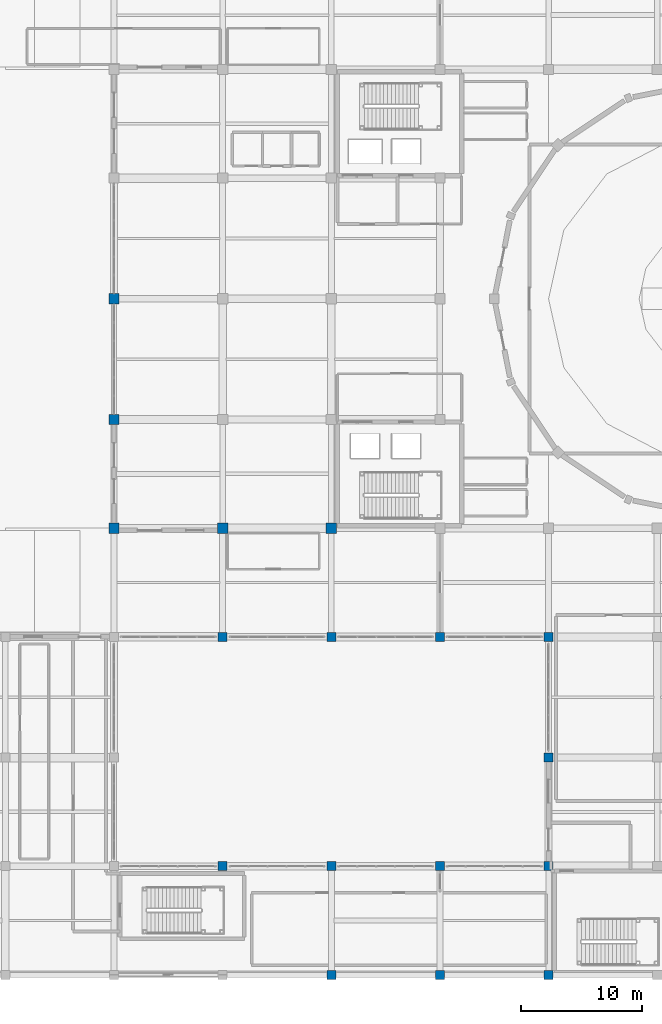
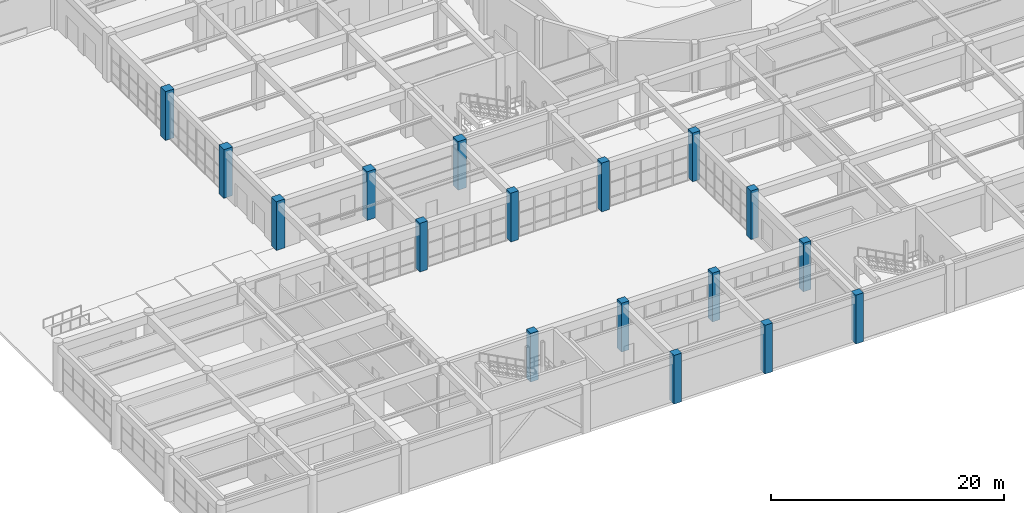
# One storey, part 2 of 128: 17 columns.
"""IFC4 building model written with IfcOpenShell, lengths in metres."""

from ifc_helpers import new_model, si_unit, direction, frame, origin, origin_2d, place, context, subcontext, project, spatial, rectangle, extrude, material, material_profile, profile_set, type_object, element, save


model = new_model("IFC4")

# Units and contexts
model_context = context("Model", 3, precision=1e-05, world=origin(), true_north=direction((0.0, 1.0)))
body_context = subcontext(model_context, "Body", "Model", "MODEL_VIEW")
ifc_project = project(units=[si_unit("LENGTHUNIT", "METRE"), si_unit("AREAUNIT", "SQUARE_METRE"), si_unit("VOLUMEUNIT", "CUBIC_METRE"), si_unit("PLANEANGLEUNIT", "RADIAN"), si_unit("MASSUNIT", "GRAM", prefix="KILO")], contexts=[model_context])

# Site, building, storey
site_placement = place(None, origin())
site = spatial("IfcSite", under=ifc_project, at=site_placement, CompositionType="ELEMENT")
building_placement = place(site_placement, origin())
building = spatial("IfcBuilding", under=site, at=building_placement, Name="Miravela Opera House", CompositionType="ELEMENT")
storey_placement = place(building_placement, origin())
storey = spatial("IfcBuildingStorey", under=building, at=storey_placement, Name="L00", CompositionType="ELEMENT", Elevation=0.0)

# Columns
ifc_material_1 = material(Name="Concrete C35/45", Category="concrete")
ifc_material_profile_1 = material_profile(ifc_material_1, rectangle(XDim=0.75, YDim=0.75, at=origin_2d()), Name="RC-COL-750X750")
ifc_profile_set_1 = profile_set([ifc_material_profile_1])
column_type_1 = type_object("IfcColumnType", Name="STR-COL-RC750", PredefinedType="COLUMN", material=ifc_profile_set_1)
for number, where, z_axis, x_axis, name in (
    (1, (36.0, 9.0, 0.0), (0.0, 0.0, 1.0), (1.0, 0.0, 0.0), "Column C-5B (L00)"),
    (2, (36.0, 28.0, 0.0), (0.0, 0.0, 1.0), (1.0, 0.0, 0.0), "Column C-5D (L00)"),
    (3, (45.0, 0.0, 0.0), (0.0, 0.0, 1.0), (1.0, 0.0, 0.0), "Column C-6A (L00)"),
    (4, (45.0, 9.0, 0.0), (0.0, 0.0, 1.0), (1.0, 0.0, 0.0), "Column C-6B (L00)"),
    (5, (45.0, 28.0, 0.0), (0.0, 0.0, 1.0), (1.0, 0.0, 0.0), "Column C-6D (L00)"),
    (6, (54.0, 0.0, 0.0), (0.0, 0.0, 1.0), (1.0, 0.0, 0.0), "Column C-7A (L00)"),
    (7, (54.0, 9.0, 0.0), (0.0, 0.0, 1.0), (1.0, 0.0, 0.0), "Column C-7B (L00)"),
    (8, (54.0, 28.0, 0.0), (0.0, 0.0, 1.0), (1.0, 0.0, 0.0), "Column C-7D (L00)"),
    (9, (63.0, 0.0, 0.0), (0.0, 0.0, 1.0), (1.0, 0.0, 0.0), "Column C-8A (L00)"),
    (10, (63.0, 9.0, 0.0), (0.0, 0.0, 1.0), (1.0, 0.0, 0.0), "Column C-8B (L00)"),
    (11, (63.0, 18.0, 0.0), (0.0, 0.0, 1.0), (1.0, 0.0, 0.0), "Column C-8C (L00)"),
    (12, (63.0, 28.0, 0.0), (0.0, 0.0, 1.0), (1.0, 0.0, 0.0), "Column C-8D (L00)"),
):
    element("IfcColumn", number, at=place(storey_placement, frame(where, z_axis=z_axis, x_axis=x_axis)), inside=storey, type_object=column_type_1, Name=name, PredefinedType="COLUMN", context=body_context, shape_type="SweptSolid", body=[
        extrude(rectangle(XDim=0.75, YDim=0.75, at=origin_2d()), origin(), (0.0, 0.0, 1.0), 5.10009765625),
    ])
ifc_material_2 = material(Name="Concrete C40/50", Category="concrete")
ifc_material_profile_2 = material_profile(ifc_material_2, rectangle(XDim=0.85009765625, YDim=0.85009765625, at=origin_2d()), Name="RC-COL-850X850")
ifc_profile_set_2 = profile_set([ifc_material_profile_2])
column_type_2 = type_object("IfcColumnType", Name="STR-COL-RC850", PredefinedType="COLUMN", material=ifc_profile_set_2)
for number, where, z_axis, x_axis, name in (
    (13, (27.0, 37.0, 0.0), (0.0, 0.0, 1.0), (1.0, 0.0, 0.0), "Column C-4E (L00)"),
    (14, (27.0, 46.0, 0.0), (0.0, 0.0, 1.0), (1.0, 0.0, 0.0), "Column C-4F (L00)"),
    (15, (27.0, 56.0, 0.0), (0.0, 0.0, 1.0), (1.0, 0.0, 0.0), "Column C-4G (L00)"),
    (16, (36.0, 37.0, 0.0), (0.0, 0.0, 1.0), (1.0, 0.0, 0.0), "Column C-5E (L00)"),
    (17, (45.0, 37.0, 0.0), (0.0, 0.0, 1.0), (1.0, 0.0, 0.0), "Column C-6E (L00)"),
):
    element("IfcColumn", number, at=place(storey_placement, frame(where, z_axis=z_axis, x_axis=x_axis)), inside=storey, type_object=column_type_2, Name=name, PredefinedType="COLUMN", context=body_context, shape_type="SweptSolid", body=[
        extrude(rectangle(XDim=0.85009765625, YDim=0.85009765625, at=origin_2d()), origin(), (0.0, 0.0, 1.0), 5.10009765625),
    ])

save(model, "model.ifc")
